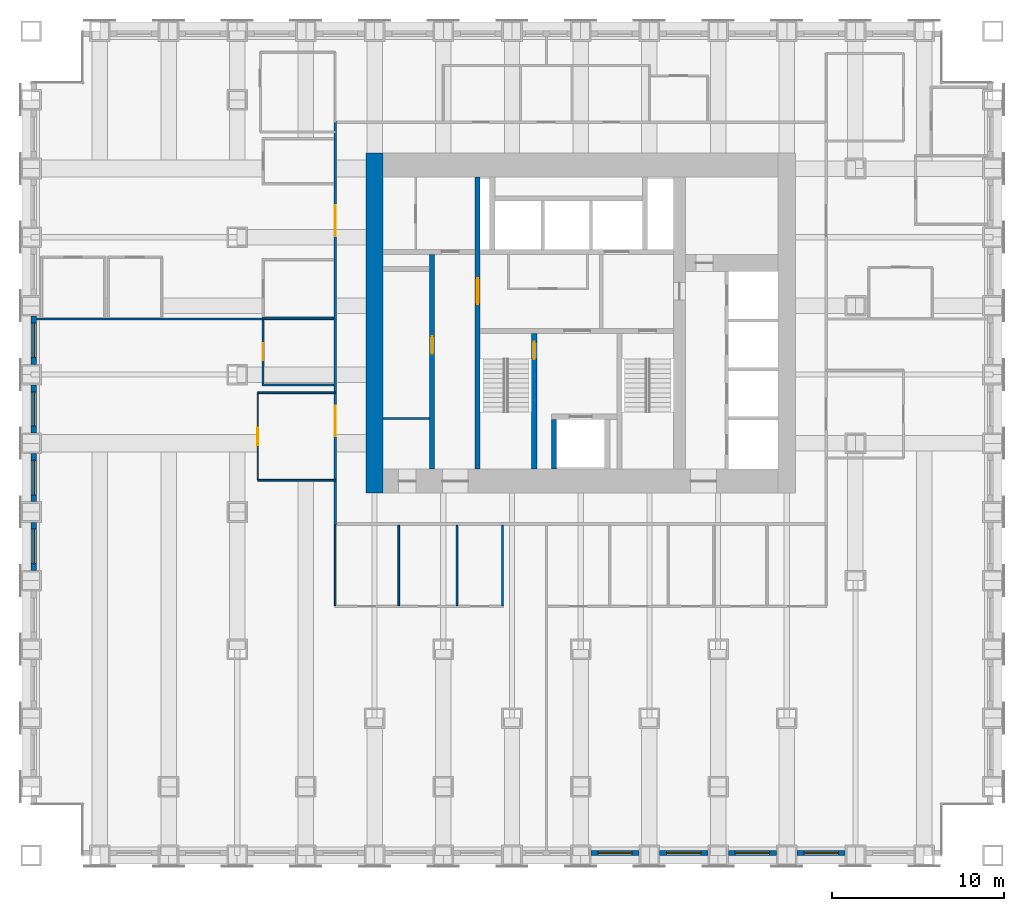
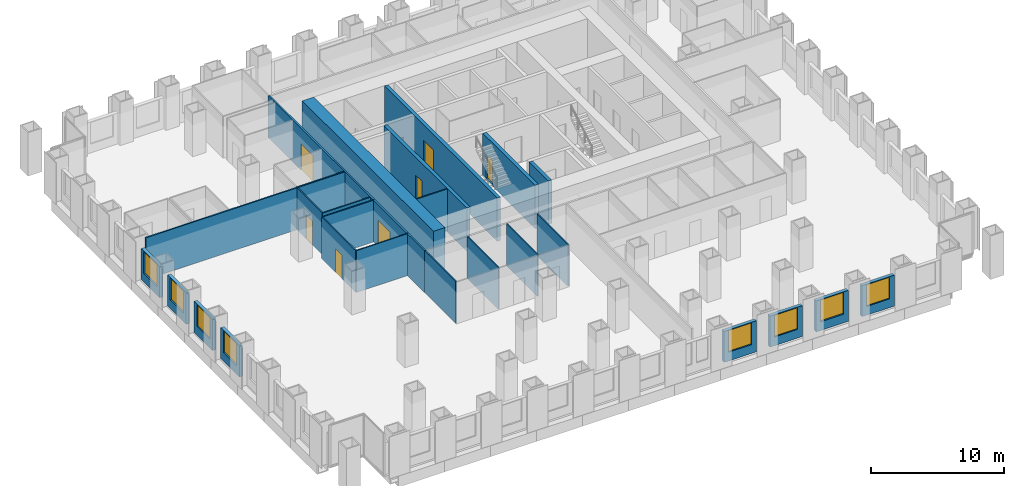
# One storey, part 9 of 15: 26 walls, 8 windows, 7 doors, 15 openings.
"""IFC4 building model written with IfcOpenShell, lengths in metres."""

from ifc_helpers import new_model, si_unit, direction, frame, frame_2d, origin, place, context, subcontext, project, spatial, rectangle, extrude, material, layer, layer_set, type_object, element, fill, save


model = new_model("IFC4")

# Units and contexts
model_context = context("Model", 3, precision=1e-05, world=origin(), true_north=direction((0.0, 1.0)))
body_context = subcontext(model_context, "Body", "Model", "MODEL_VIEW")
ifc_project = project(units=[si_unit("LENGTHUNIT", "METRE"), si_unit("AREAUNIT", "SQUARE_METRE"), si_unit("VOLUMEUNIT", "CUBIC_METRE"), si_unit("PLANEANGLEUNIT", "RADIAN"), si_unit("MASSUNIT", "GRAM", prefix="KILO")], contexts=[model_context])

# Site, building, storey
site_placement = place(None, origin())
site = spatial("IfcSite", under=ifc_project, at=site_placement, CompositionType="ELEMENT")
building_placement = place(site_placement, origin())
building = spatial("IfcBuilding", under=site, at=building_placement, Name="Rimbunsela Tower", CompositionType="ELEMENT")
storey_placement = place(building_placement, frame((0.0, 0.0, 23.0)))
storey = spatial("IfcBuildingStorey", under=building, at=storey_placement, Name="L05", CompositionType="ELEMENT", Elevation=23.0)

# Wall, opening, door
ifc_material_1 = material(Name="Concrete fc' 80 MPa", Category="concrete")
ifc_layer_1 = layer(ifc_material_1, 0.300048828125)
ifc_layer_set_1 = layer_set([ifc_layer_1], Name="Core internal wall 300")
wall_type_1 = type_object("IfcWallType", Name="Core internal wall 300", PredefinedType="SHEAR", material=ifc_layer_set_1)
wall_1_placement = place(storey_placement, frame((24.0, 18.5, -0.14990234375), z_axis=(0.0, 0.0, 1.0), x_axis=(0.0, 1.0, 0.0)))
wall_1 = element("IfcWall", 1, at=wall_1_placement, inside=storey, type_object=wall_type_1, Name="Core wall at stair A", PredefinedType="SHEAR", context=body_context, shape_type="SweptSolid", body=[
    extrude(rectangle(XDim=17.0, YDim=0.300048828125, at=frame_2d((8.5, 0.0))), origin(), (0.0, 0.0, 1.0), 4.0),
])
opening_1_placement = place(wall_1_placement, frame((9.60009765625, 0.0, 0.14990234375)))
opening_1 = element("IfcOpeningElement", 2, at=opening_1_placement, cuts=wall_1, Name="Opening D03", PredefinedType="OPENING", context=body_context, shape_type="SweptSolid", body=[
    extrude(rectangle(XDim=1.5, YDim=2.39990234375, at=frame_2d((0.75, 1.199951171875))), frame((0.0, 0.159912109375, 0.0), z_axis=(0.0, -1.0, 0.0), x_axis=(1.0, 0.0, 0.0)), (0.0, 0.0, 1.0), 0.320068359375),
])
ifc_material_2 = material(Name="Steel door, fire rated", Category="steel")
door_type_1 = type_object("IfcDoorType", Name="Core lobby door 1500", OperationType="DOUBLE_DOOR_DOUBLE_SWING", PredefinedType="DOOR", material=ifc_material_2)
door_1_placement = place(opening_1_placement, origin())
door_1 = element("IfcDoor", 3, at=door_1_placement, inside=storey, type_object=door_type_1, Name="West lobby door", OperationType="DOUBLE_DOOR_DOUBLE_SWING", OverallHeight=2.39990234375, OverallWidth=1.5, PredefinedType="DOOR", context=body_context, shape_type="SweptSolid", body=[
    extrude(rectangle(XDim=1.5, YDim=2.39990234375, at=frame_2d((0.75, 1.199951171875))), frame((0.0, 0.02490234375, 0.0), z_axis=(0.0, -1.0, 0.0), x_axis=(1.0, 0.0, 0.0)), (0.0, 0.0, 1.0), 0.050048828125),
])
fill(opening_1, door_1)

wall_2_placement = place(storey_placement, frame((27.300048828125, 18.5, -0.14990234375), z_axis=(0.0, 0.0, 1.0), x_axis=(0.0, 1.0, 0.0)))
wall_2 = element("IfcWall", 4, at=wall_2_placement, inside=storey, type_object=wall_type_1, Name="Stair A enclosure", PredefinedType="SHEAR", context=body_context, shape_type="SweptSolid", body=[
    extrude(rectangle(XDim=7.89990234375, YDim=0.300048828125, at=frame_2d((3.949951171875, 0.0))), origin(), (0.0, 0.0, 1.0), 4.0),
])
opening_2_placement = place(wall_2_placement, frame((6.39990234375, 0.0, 0.14990234375)))
opening_2 = element("IfcOpeningElement", 5, at=opening_2_placement, cuts=wall_2, Name="Opening D01", PredefinedType="OPENING", context=body_context, shape_type="SweptSolid", body=[
    extrude(rectangle(XDim=1.0, YDim=2.199951171875, at=frame_2d((0.5, 1.10009765625))), frame((0.0, 0.159912109375, 0.0), z_axis=(0.0, -1.0, 0.0), x_axis=(1.0, 0.0, 0.0)), (0.0, 0.0, 1.0), 0.320068359375),
])
ifc_material_3 = material(Name="Steel door, fire rated", Category="steel")
door_type_2 = type_object("IfcDoorType", Name="Stair door 1000", OperationType="SINGLE_SWING_RIGHT", PredefinedType="DOOR", material=ifc_material_3)
door_2_placement = place(opening_2_placement, origin())
door_2 = element("IfcDoor", 6, at=door_2_placement, inside=storey, type_object=door_type_2, Name="Stair A door", OperationType="SINGLE_SWING_RIGHT", OverallHeight=2.199951171875, OverallWidth=1.0, PredefinedType="DOOR", context=body_context, shape_type="SweptSolid", body=[
    extrude(rectangle(XDim=1.0, YDim=2.199951171875, at=frame_2d((0.5, 1.10009765625))), frame((0.0, 0.02490234375, 0.0), z_axis=(0.0, -1.0, 0.0), x_axis=(1.0, 0.0, 0.0)), (0.0, 0.0, 1.0), 0.050048828125),
])
fill(opening_2, door_2)

# Wall
wall_3_placement = place(storey_placement, frame((28.449951171875, 18.5, -0.14990234375), z_axis=(0.0, 0.0, 1.0), x_axis=(0.0, 1.0, 0.0)))
element("IfcWall", 7, at=wall_3_placement, inside=storey, type_object=wall_type_1, Name="Firefighting lift shaft west", PredefinedType="SHEAR", context=body_context, shape_type="SweptSolid", body=[
    extrude(rectangle(XDim=2.89990234375, YDim=0.300048828125, at=frame_2d((1.449951171875, 0.0))), origin(), (0.0, 0.0, 1.0), 4.0),
])

# Wall, opening, door
wall_4_placement = place(storey_placement, frame((21.35009765625, 18.5, -0.14990234375), z_axis=(0.0, 0.0, 1.0), x_axis=(0.0, 1.0, 0.0)))
wall_4 = element("IfcWall", 8, at=wall_4_placement, inside=storey, type_object=wall_type_1, Name="Lift shaft front west", PredefinedType="SHEAR", context=body_context, shape_type="SweptSolid", body=[
    extrude(rectangle(XDim=12.5, YDim=0.300048828125, at=frame_2d((6.25, 0.0))), origin(), (0.0, 0.0, 1.0), 4.0),
])
opening_3_placement = place(wall_4_placement, frame((6.72509765625, 0.0, 0.14990234375)))
opening_3 = element("IfcOpeningElement", 9, at=opening_3_placement, cuts=wall_4, Name="Opening D19", PredefinedType="OPENING", context=body_context, shape_type="SweptSolid", body=[
    extrude(rectangle(XDim=1.0, YDim=2.199951171875, at=frame_2d((0.5, 1.10009765625))), frame((0.0, 0.159912109375, 0.0), z_axis=(0.0, -1.0, 0.0), x_axis=(1.0, 0.0, 0.0)), (0.0, 0.0, 1.0), 0.320068359375),
])
ifc_material_4 = material(Name="Steel door, fire rated", Category="steel")
door_type_3 = type_object("IfcDoorType", Name="Service door 1000 fire rated", OperationType="SINGLE_SWING_LEFT", PredefinedType="DOOR", material=ifc_material_4)
door_3_placement = place(opening_3_placement, origin())
door_3 = element("IfcDoor", 10, at=door_3_placement, inside=storey, type_object=door_type_3, Name="Housekeeping store door", OperationType="SINGLE_SWING_LEFT", OverallHeight=2.199951171875, OverallWidth=1.0, PredefinedType="DOOR", context=body_context, shape_type="SweptSolid", body=[
    extrude(rectangle(XDim=1.0, YDim=2.199951171875, at=frame_2d((0.5, 1.10009765625))), frame((0.0, 0.02490234375, 0.0), z_axis=(0.0, -1.0, 0.0), x_axis=(1.0, 0.0, 0.0)), (0.0, 0.0, 1.0), 0.050048828125),
])
fill(opening_3, door_3)

# Walls
ifc_material_5 = material(Name="Concrete blockwork", Category="masonry")
ifc_layer_2 = layer(ifc_material_5, 0.10009765625)
ifc_layer_set_2 = layer_set([ifc_layer_2], Name="Core room partition 100")
wall_type_2 = type_object("IfcWallType", Name="Core room partition 100", PredefinedType="PARTITIONING", material=ifc_layer_set_2)
wall_5_placement = place(storey_placement, frame((18.5, 21.449951171875, 0.0), z_axis=(0.0, 0.0, 1.0), x_axis=(1.0, 0.0, 0.0)))
element("IfcWall", 11, at=wall_5_placement, inside=storey, type_object=wall_type_2, Name="Housekeeping store wall", PredefinedType="PARTITIONING", context=body_context, shape_type="SweptSolid", body=[
    extrude(rectangle(XDim=2.699951171875, YDim=0.10009765625, at=frame_2d((1.35009765625, 0.0))), origin(), (0.0, 0.0, 1.0), 3.85009765625),
])
ifc_material_6 = material(Name="Concrete fc' 80 MPa", Category="concrete")
ifc_layer_3 = layer(ifc_material_6, 1.0)
ifc_layer_set_3 = layer_set([ifc_layer_3], Name="Core wall 1000")
wall_type_3 = type_object("IfcWallType", Name="Core wall 1000", PredefinedType="SHEAR", material=ifc_layer_set_3)
wall_6_placement = place(storey_placement, frame((18.0, 17.10009765625, -0.14990234375), z_axis=(0.0, 0.0, 1.0), x_axis=(0.0, 1.0, 0.0)))
element("IfcWall", 12, at=wall_6_placement, inside=storey, type_object=wall_type_3, Name="Core wall west", PredefinedType="SHEAR", context=body_context, shape_type="SweptSolid", body=[
    extrude(rectangle(XDim=19.7998046875, YDim=1.0, at=frame_2d((9.89990234375, 0.0))), origin(), (0.0, 0.0, 1.0), 4.0),
])
ifc_material_7 = material(Name="Gypsum board on steel studs", Category="steel")
ifc_layer_4 = layer(ifc_material_7, 0.10009765625)
ifc_layer_set_4 = layer_set([ifc_layer_4], Name="Office partition 100")
wall_type_4 = type_object("IfcWallType", Name="Office partition 100", PredefinedType="PARTITIONING", material=ifc_layer_set_4)
for number, where, z_axis, x_axis, name in (
    (13, (11.449951171875, 23.39990234375, 0.0), (0.0, 0.0, 1.0), (1.0, 0.0, 0.0), "Office partition"),
    (14, (11.449951171875, 27.300048828125, 0.0), (0.0, 0.0, 1.0), (1.0, 0.0, 0.0), "Office partition"),
):
    element("IfcWall", number, at=place(storey_placement, frame(where, z_axis=z_axis, x_axis=x_axis)), inside=storey, type_object=wall_type_4, Name=name, PredefinedType="PARTITIONING", context=body_context, shape_type="SweptSolid", body=[
        extrude(rectangle(XDim=4.175048828125, YDim=0.10009765625, at=frame_2d((2.08740234375, 0.0))), origin(), (0.0, 0.0, 1.0), 3.85009765625),
    ])

# Wall, opening, door
wall_7_placement = place(storey_placement, frame((11.5, 23.449951171875, 0.0), z_axis=(0.0, 0.0, 1.0), x_axis=(0.0, 1.0, 0.0)))
wall_7 = element("IfcWall", 15, at=wall_7_placement, inside=storey, type_object=wall_type_4, Name="Office partition", PredefinedType="PARTITIONING", context=body_context, shape_type="SweptSolid", body=[
    extrude(rectangle(XDim=3.739013671875, YDim=0.10009765625, at=frame_2d((1.86962890625, 0.0))), origin(), (0.0, 0.0, 1.0), 3.85009765625),
])
opening_4_placement = place(wall_7_placement, frame((1.37451171875, 0.0, 0.0)))
opening_4 = element("IfcOpeningElement", 16, at=opening_4_placement, cuts=wall_7, Name="Opening D16", PredefinedType="OPENING", context=body_context, shape_type="SweptSolid", body=[
    extrude(rectangle(XDim=1.0, YDim=2.199951171875, at=frame_2d((0.5, 1.10009765625))), frame((0.0, 0.06005859375, 0.0), z_axis=(0.0, -1.0, 0.0), x_axis=(1.0, 0.0, 0.0)), (0.0, 0.0, 1.0), 0.1201171875),
])
ifc_material_8 = material(Name="Timber door", Category="wood")
door_type_4 = type_object("IfcDoorType", Name="Office door 1000", OperationType="SINGLE_SWING_LEFT", PredefinedType="DOOR", material=ifc_material_8)
door_4_placement = place(opening_4_placement, origin())
door_4 = element("IfcDoor", 17, at=door_4_placement, inside=storey, type_object=door_type_4, Name="Office door", OperationType="SINGLE_SWING_LEFT", OverallHeight=2.199951171875, OverallWidth=1.0, PredefinedType="DOOR", context=body_context, shape_type="SweptSolid", body=[
    extrude(rectangle(XDim=1.0, YDim=2.199951171875, at=frame_2d((0.5, 1.10009765625))), frame((0.0, 0.02490234375, 0.0), z_axis=(0.0, -1.0, 0.0), x_axis=(1.0, 0.0, 0.0)), (0.0, 0.0, 1.0), 0.050048828125),
])
fill(opening_4, door_4)

# Walls
for number, where, z_axis, x_axis, name in (
    (18, (15.699951171875, 10.550048828125, 0.0), (0.0, 0.0, 1.0), (0.0, 1.0, 0.0), "Office partition"),
    (19, (19.39990234375, 10.550048828125, 0.0), (0.0, 0.0, 1.0), (0.0, 1.0, 0.0), "Office partition"),
    (20, (22.800048828125, 10.550048828125, 0.0), (0.0, 0.0, 1.0), (0.0, 1.0, 0.0), "Office partition"),
    (21, (25.449951171875, 10.550048828125, 0.0), (0.0, 0.0, 1.0), (0.0, 1.0, 0.0), "Office partition"),
):
    element("IfcWall", number, at=place(storey_placement, frame(where, z_axis=z_axis, x_axis=x_axis)), inside=storey, type_object=wall_type_4, Name=name, PredefinedType="PARTITIONING", context=body_context, shape_type="SweptSolid", body=[
        extrude(rectangle(XDim=4.675048828125, YDim=0.10009765625, at=frame_2d((2.33740234375, 0.0))), origin(), (0.0, 0.0, 1.0), 3.85009765625),
    ])
wall_8_placement = place(storey_placement, frame((15.699951171875, 22.949951171875, 0.0), z_axis=(0.0, 0.0, 1.0), x_axis=(-1.0, 0.0, 0.0)))
element("IfcWall", 22, at=wall_8_placement, inside=storey, type_object=wall_type_4, Name="Office partition", PredefinedType="PARTITIONING", context=body_context, shape_type="SweptSolid", body=[
    extrude(rectangle(XDim=4.5, YDim=0.10009765625, at=frame_2d((2.25, 0.0))), origin(), (0.0, 0.0, 1.0), 3.85009765625),
])

# Wall, opening, door
wall_9_placement = place(storey_placement, frame((11.199951171875, 22.949951171875, 0.0), z_axis=(0.0, 0.0, 1.0), x_axis=(0.0, -1.0, 0.0)))
wall_9 = element("IfcWall", 23, at=wall_9_placement, inside=storey, type_object=wall_type_4, Name="Office partition", PredefinedType="PARTITIONING", context=body_context, shape_type="SweptSolid", body=[
    extrude(rectangle(XDim=5.099853515625, YDim=0.10009765625, at=frame_2d((2.5498046875, 0.0))), origin(), (0.0, 0.0, 1.0), 3.85009765625),
])
opening_5_placement = place(wall_9_placement, frame((2.050048828125, 0.0, 0.0)))
opening_5 = element("IfcOpeningElement", 24, at=opening_5_placement, cuts=wall_9, Name="Opening D17", PredefinedType="OPENING", context=body_context, shape_type="SweptSolid", body=[
    extrude(rectangle(XDim=1.0, YDim=2.199951171875, at=frame_2d((0.5, 1.10009765625))), frame((0.0, 0.06005859375, 0.0), z_axis=(0.0, -1.0, 0.0), x_axis=(1.0, 0.0, 0.0)), (0.0, 0.0, 1.0), 0.1201171875),
])
ifc_material_9 = material(Name="Glazed aluminium door", Category="aluminium")
door_type_5 = type_object("IfcDoorType", Name="Meeting room door 1000 glazed", OperationType="SINGLE_SWING_RIGHT", PredefinedType="DOOR", material=ifc_material_9)
door_5_placement = place(opening_5_placement, origin())
door_5 = element("IfcDoor", 25, at=door_5_placement, inside=storey, type_object=door_type_5, Name="Reception door", OperationType="SINGLE_SWING_RIGHT", OverallHeight=2.199951171875, OverallWidth=1.0, PredefinedType="DOOR", context=body_context, shape_type="SweptSolid", body=[
    extrude(rectangle(XDim=1.0, YDim=2.199951171875, at=frame_2d((0.5, 1.10009765625))), frame((0.0, 0.02490234375, 0.0), z_axis=(0.0, -1.0, 0.0), x_axis=(1.0, 0.0, 0.0)), (0.0, 0.0, 1.0), 0.050048828125),
])
fill(opening_5, door_5)

# Wall
wall_10_placement = place(storey_placement, frame((11.199951171875, 17.85009765625, 0.0), z_axis=(0.0, 0.0, 1.0), x_axis=(1.0, 0.0, 0.0)))
element("IfcWall", 26, at=wall_10_placement, inside=storey, type_object=wall_type_4, Name="Office partition", PredefinedType="PARTITIONING", context=body_context, shape_type="SweptSolid", body=[
    extrude(rectangle(XDim=4.5, YDim=0.10009765625, at=frame_2d((2.25, 0.0))), origin(), (0.0, 0.0, 1.0), 3.85009765625),
])

# Wall, opening, window
ifc_material_10 = material(Name="Precast concrete fc' 35 MPa", Category="concrete")
ifc_layer_5 = layer(ifc_material_10, 0.300048828125)
ifc_layer_set_5 = layer_set([ifc_layer_5], Name="Precast concrete fc' 35 MPa")
wall_type_5 = type_object("IfcWallType", Name="Precast facade panel 300", PredefinedType="ELEMENTEDWALL", material=ifc_layer_set_5)
wall_11_placement = place(storey_placement, frame((30.60009765625, -3.85009765625, 0.0), z_axis=(0.0, 0.0, 1.0), x_axis=(1.0, 0.0, 0.0)))
wall_11 = element("IfcWall", 27, at=wall_11_placement, inside=storey, type_object=wall_type_5, Name="Facade panel S L05", PredefinedType="ELEMENTEDWALL", context=body_context, shape_type="SweptSolid", body=[
    extrude(rectangle(XDim=2.7998046875, YDim=0.300048828125, at=frame_2d((1.39990234375, 0.0))), origin(), (0.0, 0.0, 1.0), 2.85009765625),
])
opening_6_placement = place(wall_11_placement, frame((0.39990234375, 0.0, 0.800048828125)))
opening_6 = element("IfcOpeningElement", 28, at=opening_6_placement, cuts=wall_11, Name="Opening W1", PredefinedType="OPENING", context=body_context, shape_type="SweptSolid", body=[
    extrude(rectangle(XDim=2.0, YDim=2.0, at=frame_2d((1.0, 1.0))), frame((0.0, 0.159912109375, 0.0), z_axis=(0.0, -1.0, 0.0), x_axis=(1.0, 0.0, 0.0)), (0.0, 0.0, 1.0), 0.320068359375),
])
ifc_material_11 = material(Name="Clear glass in aluminium frame", Category="aluminium")
window_type = type_object("IfcWindowType", Name="Window W1 2000x2000", PartitioningType="DOUBLE_PANEL_VERTICAL", PredefinedType="WINDOW", material=ifc_material_11)
window_1_placement = place(opening_6_placement, origin())
window_1 = element("IfcWindow", 29, at=window_1_placement, inside=storey, type_object=window_type, Name="Window L05", OverallHeight=2.0, OverallWidth=2.0, PartitioningType="SINGLE_PANEL", PredefinedType="WINDOW", context=body_context, shape_type="SweptSolid", body=[
    extrude(rectangle(XDim=2.0, YDim=2.0, at=frame_2d((1.0, 1.0))), frame((0.0, 0.030029296875, 0.0), z_axis=(0.0, -1.0, 0.0), x_axis=(1.0, 0.0, 0.0)), (0.0, 0.0, 1.0), 0.06005859375),
])
fill(opening_6, window_1)

wall_12_placement = place(storey_placement, frame((34.60009765625, -3.85009765625, 0.0), z_axis=(0.0, 0.0, 1.0), x_axis=(1.0, 0.0, 0.0)))
wall_12 = element("IfcWall", 30, at=wall_12_placement, inside=storey, type_object=wall_type_5, Name="Facade panel S L05", PredefinedType="ELEMENTEDWALL", context=body_context, shape_type="SweptSolid", body=[
    extrude(rectangle(XDim=2.7998046875, YDim=0.300048828125, at=frame_2d((1.39990234375, 0.0))), origin(), (0.0, 0.0, 1.0), 2.85009765625),
])
opening_7_placement = place(wall_12_placement, frame((0.39990234375, 0.0, 0.800048828125)))
opening_7 = element("IfcOpeningElement", 31, at=opening_7_placement, cuts=wall_12, Name="Opening W1", PredefinedType="OPENING", context=body_context, shape_type="SweptSolid", body=[
    extrude(rectangle(XDim=2.0, YDim=2.0, at=frame_2d((1.0, 1.0))), frame((0.0, 0.159912109375, 0.0), z_axis=(0.0, -1.0, 0.0), x_axis=(1.0, 0.0, 0.0)), (0.0, 0.0, 1.0), 0.320068359375),
])
window_2_placement = place(opening_7_placement, origin())
window_2 = element("IfcWindow", 32, at=window_2_placement, inside=storey, type_object=window_type, Name="Window L05", OverallHeight=2.0, OverallWidth=2.0, PartitioningType="SINGLE_PANEL", PredefinedType="WINDOW", context=body_context, shape_type="SweptSolid", body=[
    extrude(rectangle(XDim=2.0, YDim=2.0, at=frame_2d((1.0, 1.0))), frame((0.0, 0.030029296875, 0.0), z_axis=(0.0, -1.0, 0.0), x_axis=(1.0, 0.0, 0.0)), (0.0, 0.0, 1.0), 0.06005859375),
])
fill(opening_7, window_2)

wall_13_placement = place(storey_placement, frame((38.60009765625, -3.85009765625, 0.0), z_axis=(0.0, 0.0, 1.0), x_axis=(1.0, 0.0, 0.0)))
wall_13 = element("IfcWall", 33, at=wall_13_placement, inside=storey, type_object=wall_type_5, Name="Facade panel S L05", PredefinedType="ELEMENTEDWALL", context=body_context, shape_type="SweptSolid", body=[
    extrude(rectangle(XDim=2.7998046875, YDim=0.300048828125, at=frame_2d((1.39990234375, 0.0))), origin(), (0.0, 0.0, 1.0), 2.85009765625),
])
opening_8_placement = place(wall_13_placement, frame((0.39990234375, 0.0, 0.800048828125)))
opening_8 = element("IfcOpeningElement", 34, at=opening_8_placement, cuts=wall_13, Name="Opening W1", PredefinedType="OPENING", context=body_context, shape_type="SweptSolid", body=[
    extrude(rectangle(XDim=2.0, YDim=2.0, at=frame_2d((1.0, 1.0))), frame((0.0, 0.159912109375, 0.0), z_axis=(0.0, -1.0, 0.0), x_axis=(1.0, 0.0, 0.0)), (0.0, 0.0, 1.0), 0.320068359375),
])
window_3_placement = place(opening_8_placement, origin())
window_3 = element("IfcWindow", 35, at=window_3_placement, inside=storey, type_object=window_type, Name="Window L05", OverallHeight=2.0, OverallWidth=2.0, PartitioningType="SINGLE_PANEL", PredefinedType="WINDOW", context=body_context, shape_type="SweptSolid", body=[
    extrude(rectangle(XDim=2.0, YDim=2.0, at=frame_2d((1.0, 1.0))), frame((0.0, 0.030029296875, 0.0), z_axis=(0.0, -1.0, 0.0), x_axis=(1.0, 0.0, 0.0)), (0.0, 0.0, 1.0), 0.06005859375),
])
fill(opening_8, window_3)

wall_14_placement = place(storey_placement, frame((42.60009765625, -3.85009765625, 0.0), z_axis=(0.0, 0.0, 1.0), x_axis=(1.0, 0.0, 0.0)))
wall_14 = element("IfcWall", 36, at=wall_14_placement, inside=storey, type_object=wall_type_5, Name="Facade panel S L05", PredefinedType="ELEMENTEDWALL", context=body_context, shape_type="SweptSolid", body=[
    extrude(rectangle(XDim=2.7998046875, YDim=0.300048828125, at=frame_2d((1.39990234375, 0.0))), origin(), (0.0, 0.0, 1.0), 2.85009765625),
])
opening_9_placement = place(wall_14_placement, frame((0.39990234375, 0.0, 0.800048828125)))
opening_9 = element("IfcOpeningElement", 37, at=opening_9_placement, cuts=wall_14, Name="Opening W1", PredefinedType="OPENING", context=body_context, shape_type="SweptSolid", body=[
    extrude(rectangle(XDim=2.0, YDim=2.0, at=frame_2d((1.0, 1.0))), frame((0.0, 0.159912109375, 0.0), z_axis=(0.0, -1.0, 0.0), x_axis=(1.0, 0.0, 0.0)), (0.0, 0.0, 1.0), 0.320068359375),
])
window_4_placement = place(opening_9_placement, origin())
window_4 = element("IfcWindow", 38, at=window_4_placement, inside=storey, type_object=window_type, Name="Window L05", OverallHeight=2.0, OverallWidth=2.0, PartitioningType="SINGLE_PANEL", PredefinedType="WINDOW", context=body_context, shape_type="SweptSolid", body=[
    extrude(rectangle(XDim=2.0, YDim=2.0, at=frame_2d((1.0, 1.0))), frame((0.0, 0.030029296875, 0.0), z_axis=(0.0, -1.0, 0.0), x_axis=(1.0, 0.0, 0.0)), (0.0, 0.0, 1.0), 0.06005859375),
])
fill(opening_9, window_4)

wall_15_placement = place(storey_placement, frame((-1.85009765625, 15.39990234375, 0.0), z_axis=(0.0, 0.0, 1.0), x_axis=(0.0, -1.0, 0.0)))
wall_15 = element("IfcWall", 39, at=wall_15_placement, inside=storey, type_object=wall_type_5, Name="Facade panel W L05", PredefinedType="ELEMENTEDWALL", context=body_context, shape_type="SweptSolid", body=[
    extrude(rectangle(XDim=2.7998046875, YDim=0.300048828125, at=frame_2d((1.39990234375, 0.0))), origin(), (0.0, 0.0, 1.0), 2.85009765625),
])
opening_10_placement = place(wall_15_placement, frame((0.39990234375, 0.0, 0.800048828125)))
opening_10 = element("IfcOpeningElement", 40, at=opening_10_placement, cuts=wall_15, Name="Opening W1", PredefinedType="OPENING", context=body_context, shape_type="SweptSolid", body=[
    extrude(rectangle(XDim=2.0, YDim=2.0, at=frame_2d((1.0, 1.0))), frame((0.0, 0.159912109375, 0.0), z_axis=(0.0, -1.0, 0.0), x_axis=(1.0, 0.0, 0.0)), (0.0, 0.0, 1.0), 0.320068359375),
])
window_5_placement = place(opening_10_placement, origin())
window_5 = element("IfcWindow", 41, at=window_5_placement, inside=storey, type_object=window_type, Name="Window L05", OverallHeight=2.0, OverallWidth=2.0, PartitioningType="SINGLE_PANEL", PredefinedType="WINDOW", context=body_context, shape_type="SweptSolid", body=[
    extrude(rectangle(XDim=2.0, YDim=2.0, at=frame_2d((1.0, 1.0))), frame((0.0, 0.030029296875, 0.0), z_axis=(0.0, -1.0, 0.0), x_axis=(1.0, 0.0, 0.0)), (0.0, 0.0, 1.0), 0.06005859375),
])
fill(opening_10, window_5)

wall_16_placement = place(storey_placement, frame((-1.85009765625, 19.39990234375, 0.0), z_axis=(0.0, 0.0, 1.0), x_axis=(0.0, -1.0, 0.0)))
wall_16 = element("IfcWall", 42, at=wall_16_placement, inside=storey, type_object=wall_type_5, Name="Facade panel W L05", PredefinedType="ELEMENTEDWALL", context=body_context, shape_type="SweptSolid", body=[
    extrude(rectangle(XDim=2.7998046875, YDim=0.300048828125, at=frame_2d((1.39990234375, 0.0))), origin(), (0.0, 0.0, 1.0), 2.85009765625),
])
opening_11_placement = place(wall_16_placement, frame((0.39990234375, 0.0, 0.800048828125)))
opening_11 = element("IfcOpeningElement", 43, at=opening_11_placement, cuts=wall_16, Name="Opening W1", PredefinedType="OPENING", context=body_context, shape_type="SweptSolid", body=[
    extrude(rectangle(XDim=2.0, YDim=2.0, at=frame_2d((1.0, 1.0))), frame((0.0, 0.159912109375, 0.0), z_axis=(0.0, -1.0, 0.0), x_axis=(1.0, 0.0, 0.0)), (0.0, 0.0, 1.0), 0.320068359375),
])
window_6_placement = place(opening_11_placement, origin())
window_6 = element("IfcWindow", 44, at=window_6_placement, inside=storey, type_object=window_type, Name="Window L05", OverallHeight=2.0, OverallWidth=2.0, PartitioningType="SINGLE_PANEL", PredefinedType="WINDOW", context=body_context, shape_type="SweptSolid", body=[
    extrude(rectangle(XDim=2.0, YDim=2.0, at=frame_2d((1.0, 1.0))), frame((0.0, 0.030029296875, 0.0), z_axis=(0.0, -1.0, 0.0), x_axis=(1.0, 0.0, 0.0)), (0.0, 0.0, 1.0), 0.06005859375),
])
fill(opening_11, window_6)

wall_17_placement = place(storey_placement, frame((-1.85009765625, 23.39990234375, 0.0), z_axis=(0.0, 0.0, 1.0), x_axis=(0.0, -1.0, 0.0)))
wall_17 = element("IfcWall", 45, at=wall_17_placement, inside=storey, type_object=wall_type_5, Name="Facade panel W L05", PredefinedType="ELEMENTEDWALL", context=body_context, shape_type="SweptSolid", body=[
    extrude(rectangle(XDim=2.7998046875, YDim=0.300048828125, at=frame_2d((1.39990234375, 0.0))), origin(), (0.0, 0.0, 1.0), 2.85009765625),
])
opening_12_placement = place(wall_17_placement, frame((0.39990234375, 0.0, 0.800048828125)))
opening_12 = element("IfcOpeningElement", 46, at=opening_12_placement, cuts=wall_17, Name="Opening W1", PredefinedType="OPENING", context=body_context, shape_type="SweptSolid", body=[
    extrude(rectangle(XDim=2.0, YDim=2.0, at=frame_2d((1.0, 1.0))), frame((0.0, 0.159912109375, 0.0), z_axis=(0.0, -1.0, 0.0), x_axis=(1.0, 0.0, 0.0)), (0.0, 0.0, 1.0), 0.320068359375),
])
window_7_placement = place(opening_12_placement, origin())
window_7 = element("IfcWindow", 47, at=window_7_placement, inside=storey, type_object=window_type, Name="Window L05", OverallHeight=2.0, OverallWidth=2.0, PartitioningType="SINGLE_PANEL", PredefinedType="WINDOW", context=body_context, shape_type="SweptSolid", body=[
    extrude(rectangle(XDim=2.0, YDim=2.0, at=frame_2d((1.0, 1.0))), frame((0.0, 0.030029296875, 0.0), z_axis=(0.0, -1.0, 0.0), x_axis=(1.0, 0.0, 0.0)), (0.0, 0.0, 1.0), 0.06005859375),
])
fill(opening_12, window_7)

wall_18_placement = place(storey_placement, frame((-1.85009765625, 27.39990234375, 0.0), z_axis=(0.0, 0.0, 1.0), x_axis=(0.0, -1.0, 0.0)))
wall_18 = element("IfcWall", 48, at=wall_18_placement, inside=storey, type_object=wall_type_5, Name="Facade panel W L05", PredefinedType="ELEMENTEDWALL", context=body_context, shape_type="SweptSolid", body=[
    extrude(rectangle(XDim=2.7998046875, YDim=0.300048828125, at=frame_2d((1.39990234375, 0.0))), origin(), (0.0, 0.0, 1.0), 2.85009765625),
])
opening_13_placement = place(wall_18_placement, frame((0.39990234375, 0.0, 0.800048828125)))
opening_13 = element("IfcOpeningElement", 49, at=opening_13_placement, cuts=wall_18, Name="Opening W1", PredefinedType="OPENING", context=body_context, shape_type="SweptSolid", body=[
    extrude(rectangle(XDim=2.0, YDim=2.0, at=frame_2d((1.0, 1.0))), frame((0.0, 0.159912109375, 0.0), z_axis=(0.0, -1.0, 0.0), x_axis=(1.0, 0.0, 0.0)), (0.0, 0.0, 1.0), 0.320068359375),
])
window_8_placement = place(opening_13_placement, origin())
window_8 = element("IfcWindow", 50, at=window_8_placement, inside=storey, type_object=window_type, Name="Window L05", OverallHeight=2.0, OverallWidth=2.0, PartitioningType="SINGLE_PANEL", PredefinedType="WINDOW", context=body_context, shape_type="SweptSolid", body=[
    extrude(rectangle(XDim=2.0, YDim=2.0, at=frame_2d((1.0, 1.0))), frame((0.0, 0.030029296875, 0.0), z_axis=(0.0, -1.0, 0.0), x_axis=(1.0, 0.0, 0.0)), (0.0, 0.0, 1.0), 0.06005859375),
])
fill(opening_13, window_8)

# Wall, openings, doors
ifc_material_12 = material(Name="Fire-rated gypsum board on steel studs, EI 60", Category="steel")
ifc_layer_6 = layer(ifc_material_12, 0.14990234375)
ifc_layer_set_6 = layer_set([ifc_layer_6], Name="Rated corridor wall 150")
wall_type_6 = type_object("IfcWallType", Name="Rated corridor wall 150", PredefinedType="PARTITIONING", material=ifc_layer_set_6)
wall_19_placement = place(storey_placement, frame((15.699951171875, 15.22509765625, 0.0), z_axis=(0.0, 0.0, 1.0), x_axis=(0.0, 1.0, 0.0)))
wall_19 = element("IfcWall", 51, at=wall_19_placement, inside=storey, type_object=wall_type_6, Name="Corridor wall west", PredefinedType="PARTITIONING", context=body_context, shape_type="SweptSolid", body=[
    extrude(rectangle(XDim=23.5498046875, YDim=0.14990234375, at=frame_2d((11.77490234375, 0.0))), origin(), (0.0, 0.0, 1.0), 3.85009765625),
])
opening_14_placement = place(wall_19_placement, frame((5.175048828125, 0.0, 0.0)))
opening_14 = element("IfcOpeningElement", 52, at=opening_14_placement, cuts=wall_19, Name="Opening D09", PredefinedType="OPENING", context=body_context, shape_type="SweptSolid", body=[
    extrude(rectangle(XDim=1.800048828125, YDim=2.39990234375, at=frame_2d((0.89990234375, 1.199951171875))), frame((0.0, 0.0849609375, 0.0), z_axis=(0.0, -1.0, 0.0), x_axis=(1.0, 0.0, 0.0)), (0.0, 0.0, 1.0), 0.169921875),
])
opening_15_placement = place(wall_19_placement, frame((16.824951171875, 0.0, 0.0)))
opening_15 = element("IfcOpeningElement", 53, at=opening_15_placement, cuts=wall_19, Name="Opening D09", PredefinedType="OPENING", context=body_context, shape_type="SweptSolid", body=[
    extrude(rectangle(XDim=1.800048828125, YDim=2.39990234375, at=frame_2d((0.89990234375, 1.199951171875))), frame((0.0, 0.0849609375, 0.0), z_axis=(0.0, -1.0, 0.0), x_axis=(1.0, 0.0, 0.0)), (0.0, 0.0, 1.0), 0.169921875),
])
ifc_material_13 = material(Name="Glazed aluminium door, fire rated", Category="aluminium")
door_type_6 = type_object("IfcDoorType", Name="Tenancy door 1800 glazed", OperationType="DOUBLE_DOOR_DOUBLE_SWING", PredefinedType="DOOR", material=ifc_material_13)
door_6_placement = place(opening_14_placement, origin())
door_6 = element("IfcDoor", 54, at=door_6_placement, inside=storey, type_object=door_type_6, Name="Tenancy door", OperationType="DOUBLE_DOOR_DOUBLE_SWING", OverallHeight=2.39990234375, OverallWidth=1.800048828125, PredefinedType="DOOR", context=body_context, shape_type="SweptSolid", body=[
    extrude(rectangle(XDim=1.800048828125, YDim=2.39990234375, at=frame_2d((0.89990234375, 1.199951171875))), frame((0.0, 0.02490234375, 0.0), z_axis=(0.0, -1.0, 0.0), x_axis=(1.0, 0.0, 0.0)), (0.0, 0.0, 1.0), 0.050048828125),
])
fill(opening_14, door_6)
door_7_placement = place(opening_15_placement, origin())
door_7 = element("IfcDoor", 55, at=door_7_placement, inside=storey, type_object=door_type_6, Name="Tenancy door", OperationType="DOUBLE_DOOR_DOUBLE_SWING", OverallHeight=2.39990234375, OverallWidth=1.800048828125, PredefinedType="DOOR", context=body_context, shape_type="SweptSolid", body=[
    extrude(rectangle(XDim=1.800048828125, YDim=2.39990234375, at=frame_2d((0.89990234375, 1.199951171875))), frame((0.0, 0.02490234375, 0.0), z_axis=(0.0, -1.0, 0.0), x_axis=(1.0, 0.0, 0.0)), (0.0, 0.0, 1.0), 0.050048828125),
])
fill(opening_15, door_7)

# Wall
ifc_material_14 = material(Name="Gypsum board on steel studs", Category="steel")
ifc_layer_7 = layer(ifc_material_14, 0.1201171875)
ifc_layer_set_7 = layer_set([ifc_layer_7], Name="Tenancy partition 120")
wall_type_7 = type_object("IfcWallType", Name="Tenancy partition 120", PredefinedType="PARTITIONING", material=ifc_layer_set_7)
wall_20_placement = place(storey_placement, frame((-1.699951171875, 27.25, 0.0), z_axis=(0.0, 0.0, 1.0), x_axis=(1.0, 0.0, 0.0)))
element("IfcWall", 56, at=wall_20_placement, inside=storey, type_object=wall_type_7, Name="Tenancy partition", PredefinedType="PARTITIONING", context=body_context, shape_type="SweptSolid", body=[
    extrude(rectangle(XDim=17.324951171875, YDim=0.1201171875, at=frame_2d((8.66259765625, 0.0))), origin(), (0.0, 0.0, 1.0), 3.85009765625),
])

save(model, "model.ifc")
